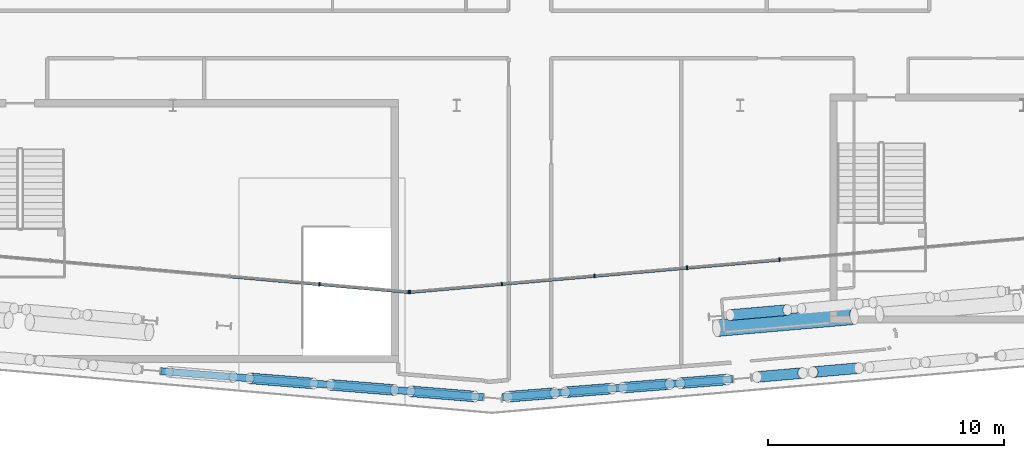
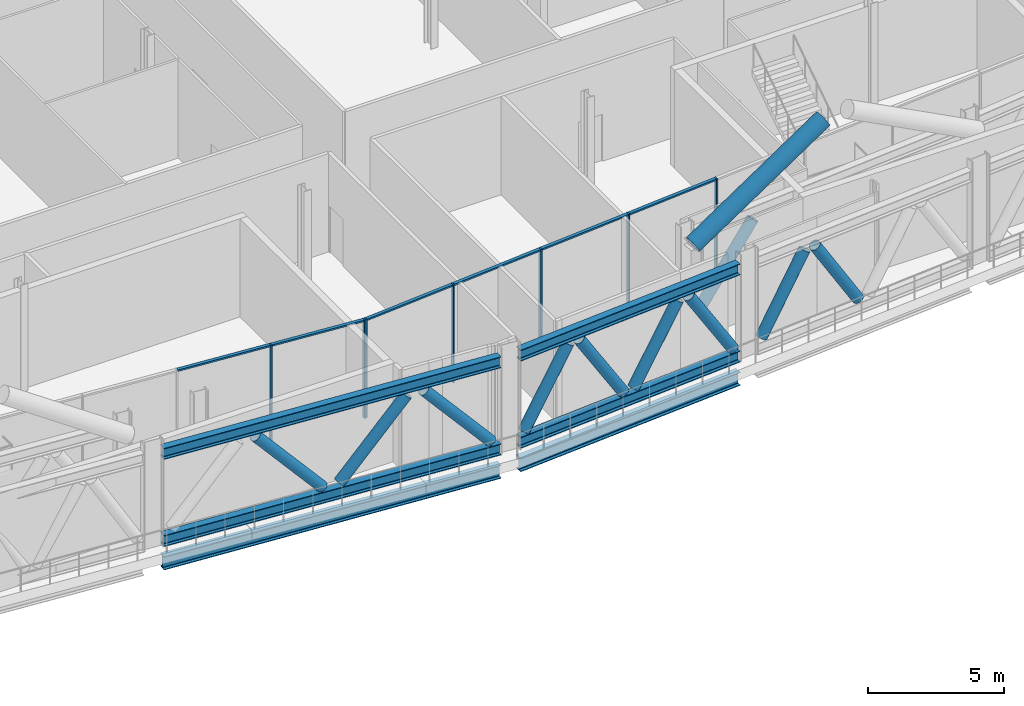
# One storey, part 7 of 42: 28 members, 2 beams, 2 elements without a shape of their own.
"""IFC4 building model written with IfcOpenShell, lengths in metres."""

import ifcopenshell
import ifcopenshell.guid

model = None  # the IFC model being written
_history = None  # IfcOwnerHistory: only IFC2X3 demands one
_inside = {}  # id of a spatial element -> (the spatial element, [elements in it])
_under = {}  # id of a project, library or spatial element -> (it, [spatial elements below it])
_declared = {}  # id of a project -> (the project, [libraries it declares])
_typed = {}  # id of a type object -> (the type object, [elements of that type])
_made_of = {}  # id of a material, layer set ... -> (it, [elements and type objects made of it])


def new_model(schema):
    """Start an empty IFC model of exactly this schema.

    Asked for "IFC4X3", IfcOpenShell would pick the latest addendum, in which some entities
    have other attributes; the version numbers below select the first issue.
    IFC2X3 requires an IfcOwnerHistory on every rooted entity: one is made here for all.
    """
    global model, _history
    if schema == "IFC4X3":
        model = ifcopenshell.file(schema_version=(4, 3, 0, 0))
    else:
        model = ifcopenshell.file(schema=schema)
    _inside.clear()
    _under.clear()
    _declared.clear()
    _typed.clear()
    _made_of.clear()
    _history = None
    if model.schema == "IFC2X3":
        org = make("IfcOrganization", Name="unknown")
        user = make(
            "IfcPersonAndOrganization",
            ThePerson=make("IfcPerson", FamilyName="unknown"),
            TheOrganization=org,
        )
        app = make(
            "IfcApplication",
            ApplicationDeveloper=org,
            Version="unknown",
            ApplicationFullName="unknown",
            ApplicationIdentifier="unknown",
        )
        _history = make(
            "IfcOwnerHistory",
            OwningUser=user,
            OwningApplication=app,
            ChangeAction="ADDED",
            CreationDate=0,
        )
    return model


def make(cls, **values):
    """One entity of the class cls with the attributes given. An attribute that is None is left unset."""
    return model.create_entity(
        cls, **{name: value for name, value in values.items() if value is not None}
    )


def rooted(cls, **values):
    """An entity with a GlobalId (a new one), such as an element, a storey or a relation."""
    return make(cls, GlobalId=ifcopenshell.guid.new(), OwnerHistory=_history, **values)


def si_unit(unit_type, name, prefix=None):
    """IfcSIUnit, for example si_unit("LENGTHUNIT", "METRE", prefix="MILLI")."""
    return make("IfcSIUnit", UnitType=unit_type, Prefix=prefix, Name=name)


def assignment(units):
    """IfcUnitAssignment: the units of a project."""
    return None if units is None else make("IfcUnitAssignment", Units=units)


def point(xyz):
    """IfcCartesianPoint."""
    return None if xyz is None else make("IfcCartesianPoint", Coordinates=xyz)


def direction(xyz):
    """IfcDirection."""
    return None if xyz is None else make("IfcDirection", DirectionRatios=xyz)


def frame(location, z_axis=None, x_axis=None):
    """IfcAxis2Placement3D, a coordinate frame: its origin and axes. An axis left out is left unset."""
    return make(
        "IfcAxis2Placement3D",
        Location=point(location),
        Axis=direction(z_axis),
        RefDirection=direction(x_axis),
    )


def frame_2d(location, x_axis=None):
    """IfcAxis2Placement2D, a coordinate frame in the plane: its origin and x axis."""
    return make(
        "IfcAxis2Placement2D", Location=point(location), RefDirection=direction(x_axis)
    )


def origin():
    """The frame at (0, 0, 0) with its axes left unset."""
    return frame((0.0, 0.0, 0.0))


def origin_2d():
    """The frame at (0, 0) in the plane with its x axis left unset."""
    return frame_2d((0.0, 0.0))


def place(relative_to, where):
    """IfcLocalPlacement: puts the frame where relative to a parent placement (None: the world)."""
    return make(
        "IfcLocalPlacement", PlacementRelTo=relative_to, RelativePlacement=where
    )


def context(
    kind, dimensions, precision=None, world=None, true_north=None, identifier=None
):
    """IfcGeometricRepresentationContext, for example the 3D "Model" context."""
    return make(
        "IfcGeometricRepresentationContext",
        ContextIdentifier=identifier,
        ContextType=kind,
        CoordinateSpaceDimension=dimensions,
        Precision=precision,
        WorldCoordinateSystem=world,
        TrueNorth=true_north,
    )


def subcontext(parent, identifier, kind, view, scale=None):
    """IfcGeometricRepresentationSubContext, for example "Body" below "Model"."""
    return make(
        "IfcGeometricRepresentationSubContext",
        ContextIdentifier=identifier,
        ContextType=kind,
        ParentContext=parent,
        TargetScale=scale,
        TargetView=view,
    )


def project(units=None, contexts=None):
    """IfcProject with its units and contexts."""
    return rooted(
        "IfcProject",
        Name="project",
        RepresentationContexts=contexts,
        UnitsInContext=assignment(units),
    )


def spatial(cls, under=None, at=None, **own):
    """A site, building, storey or space (cls), placed at a placement, below another one or the project."""
    s = rooted(cls, ObjectPlacement=at, **own)
    if under is not None:
        _under.setdefault(under.id(), (under, []))[1].append(s)
    return s


def profile(cls, at=None, kind="AREA", **sizes):
    """A parametric profile (cls). Its sizes go by their IFC names, for example OverallWidth=200.0."""
    return make(cls, ProfileType=kind, Position=at, **sizes)


def rectangle(**sizes):
    """IfcRectangleProfileDef."""
    return profile("IfcRectangleProfileDef", **sizes)


def hollow_circle(**sizes):
    """IfcCircleHollowProfileDef."""
    return profile("IfcCircleHollowProfileDef", **sizes)


def i_section(**sizes):
    """IfcIShapeProfileDef."""
    return profile("IfcIShapeProfileDef", **sizes)


def extrude(swept, where, along, depth):
    """IfcExtrudedAreaSolid: the profile swept, set in the frame where, extruded along a direction by depth."""
    return make(
        "IfcExtrudedAreaSolid",
        SweptArea=swept,
        Position=where,
        ExtrudedDirection=direction(along),
        Depth=depth,
    )


def shape(context_of_items, identifier, shape_type, items):
    """IfcShapeRepresentation: the items that make up one representation, for example the "Body"."""
    return make(
        "IfcShapeRepresentation",
        ContextOfItems=context_of_items,
        RepresentationIdentifier=identifier,
        RepresentationType=shape_type,
        Items=items,
    )


def material(Name=None, Category=None):
    """IfcMaterial."""
    return make("IfcMaterial", Name=Name, Category=Category)


def material_profile(
    of_material, cross_section, Name=None, Category=None, Priority=None
):
    """IfcMaterialProfile: a cross section and its material."""
    return make(
        "IfcMaterialProfile",
        Name=Name,
        Material=of_material,
        Profile=cross_section,
        Priority=Priority,
        Category=Category,
    )


def profile_set(profiles, Name=None, composite=None):
    """IfcMaterialProfileSet."""
    return make(
        "IfcMaterialProfileSet",
        Name=Name,
        MaterialProfiles=profiles,
        CompositeProfile=composite,
    )


def made_of(thing, what):
    """Note that an element or type object is made of a material, layer set ...; save() writes the relation."""
    if what is not None:
        _made_of.setdefault(what.id(), (what, []))[1].append(thing)
    return thing


def type_object(cls, material=None, **own):
    """A type object (cls), such as IfcWallType, which elements share."""
    return made_of(rooted(cls, **own), material)


def element(
    cls,
    number,
    at=None,
    inside=None,
    cuts=None,
    type_object=None,
    material=None,
    context=None,
    identifier="Body",
    shape_type=None,
    held_by="IfcProductDefinitionShape",
    body=None,
    shapes=None,
    **own,
):
    """One element of the class cls, such as IfcWall. Its Tag is "e" and its number.

    at: its placement. inside: the storey or other place that contains it. cuts: it is an
    opening in that element (IfcRelVoidsElement). A single representation is given by context,
    identifier, shape_type and body (its items); several are given by shapes. held_by: the class
    of the entity that holds the representations. save() writes the other relations.
    """
    e = rooted(cls, Tag="e%d" % number, ObjectPlacement=at, **own)
    if body is not None:
        shapes = [shape(context, identifier, shape_type, body)]
    if shapes is not None:
        e.Representation = make(held_by, Representations=shapes)
    if inside is not None:
        _inside.setdefault(inside.id(), (inside, []))[1].append(e)
    if cuts is not None:
        rooted(
            "IfcRelVoidsElement", RelatingBuildingElement=cuts, RelatedOpeningElement=e
        )
    if type_object is not None:
        _typed.setdefault(type_object.id(), (type_object, []))[1].append(e)
    return made_of(e, material)


def aggregate(whole, parts):
    """IfcRelAggregates: a whole, such as a stair, and the parts it consists of."""
    return rooted("IfcRelAggregates", RelatingObject=whole, RelatedObjects=parts)


def save(model, path):
    """Write the relations noted so far, then the file.

    IfcRelAggregates (storeys below a building ...), IfcRelContainedInSpatialStructure (elements
    in a storey), IfcRelDefinesByType, IfcRelAssociatesMaterial and IfcRelDeclares: one each for
    every whole, place, type object, material and project.
    """
    for whole, parts in _under.values():
        aggregate(whole, parts)
    for where, things in _inside.values():
        rooted(
            "IfcRelContainedInSpatialStructure",
            RelatedElements=things,
            RelatingStructure=where,
        )
    for kind, things in _typed.values():
        rooted("IfcRelDefinesByType", RelatedObjects=things, RelatingType=kind)
    for what, things in _made_of.values():
        rooted("IfcRelAssociatesMaterial", RelatedObjects=things, RelatingMaterial=what)
    for by, libraries in _declared.values():
        rooted("IfcRelDeclares", RelatingContext=by, RelatedDefinitions=libraries)
    model.write(path)


model = new_model("IFC4")

# Units and contexts
model_context = context("Model", 3, precision=1e-05, world=origin(), true_north=direction((0.0, 1.0)))
body_context = subcontext(model_context, "Body", "Model", "MODEL_VIEW")
ifc_project = project(units=[si_unit("LENGTHUNIT", "METRE"), si_unit("AREAUNIT", "SQUARE_METRE"), si_unit("VOLUMEUNIT", "CUBIC_METRE"), si_unit("PLANEANGLEUNIT", "RADIAN"), si_unit("MASSUNIT", "GRAM", prefix="KILO")], contexts=[model_context])

# Site, building, storey
site_placement = place(None, origin())
site = spatial("IfcSite", under=ifc_project, at=site_placement, CompositionType="ELEMENT")
building_placement = place(site_placement, origin())
building = spatial("IfcBuilding", under=site, at=building_placement, Name="Wharfspan Tower", CompositionType="ELEMENT")
storey_placement = place(building_placement, frame((0.0, 0.0, 147.100098)))
storey = spatial("IfcBuildingStorey", under=building, at=storey_placement, Name="L35", CompositionType="ELEMENT", Elevation=147.100098)

# Beams
ifc_material_1 = material(Name="Steel S355J2", Category="steel")
ifc_material_profile_1 = material_profile(ifc_material_1, i_section(OverallWidth=0.300049, OverallDepth=0.600098, WebThickness=0.015381, FlangeThickness=0.030029, FilletRadius=0.0271, at=origin_2d()))
ifc_profile_set_1 = profile_set([ifc_material_profile_1], Name="Steel S355J2")
beam_type = type_object("IfcBeamType", Name="Edge beam HEB 600", PredefinedType="SPANDREL", material=ifc_profile_set_1)
beam_1_placement = place(storey_placement, frame((35.490967, 0.252197, -0.75), z_axis=(0.996756, -0.080488, 0.0), x_axis=(0.080488, 0.996756, 0.0)))
element("IfcBeam", 1, at=beam_1_placement, inside=storey, type_object=beam_type, Name="Edge beam S1 L35 PS1.3 to PS1.4", PredefinedType="SPANDREL", context=body_context, shape_type="SweptSolid", body=[
    extrude(i_section(OverallWidth=0.300049, OverallDepth=0.600098, WebThickness=0.015381, FlangeThickness=0.030029, FilletRadius=0.0271, at=origin_2d()), origin(), (0.0, 0.0, 1.0), 13.683105),
])
beam_2_placement = place(storey_placement, frame((49.938721, -0.849365, -0.75), z_axis=(0.996913, 0.078508, 0.0), x_axis=(-0.078508, 0.996913, 0.0)))
element("IfcBeam", 2, at=beam_2_placement, inside=storey, type_object=beam_type, Name="Edge beam S2 L35 PS1.4 to PS2.1", PredefinedType="SPANDREL", context=body_context, shape_type="SweptSolid", body=[
    extrude(i_section(OverallWidth=0.300049, OverallDepth=0.600098, WebThickness=0.015381, FlangeThickness=0.030029, FilletRadius=0.0271, at=origin_2d()), origin(), (0.0, 0.0, 1.0), 9.767578),
])

# Curtain wall, members
ifc_material_2 = material(Name="Aluminium 6063-T6", Category="aluminium")
curtain_wall_type = type_object("IfcCurtainWallType", Name="CURTAIN WALL BAND RECESS", PredefinedType="NOTDEFINED", material=ifc_material_2)
curtain_wall_1_placement = place(storey_placement, origin())
curtain_wall_1 = element("IfcCurtainWall", 3, at=curtain_wall_1_placement, inside=storey, type_object=curtain_wall_type, Name="Recess glazing R6", PredefinedType="NOTDEFINED")
ifc_material_profile_2 = material_profile(ifc_material_2, rectangle(XDim=0.159912, YDim=0.060059, at=origin_2d()))
ifc_profile_set_2 = profile_set([ifc_material_profile_2], Name="Aluminium 6063-T6")
member_type_1 = type_object("IfcMemberType", Name="MULLION BAND RECESS 60x160", PredefinedType="MULLION", material=ifc_profile_set_2)
member_1_placement = place(storey_placement, frame((61.664551, 4.968262, 0.0), z_axis=(0.0, 0.0, 1.0), x_axis=(0.087156, -0.996198, 0.0)))
member_1 = element("IfcMember", 4, at=member_1_placement, type_object=member_type_1, Name="Recess glazing R6 mullion 6", PredefinedType="MULLION", context=body_context, shape_type="SweptSolid", body=[
    extrude(rectangle(XDim=0.159912, YDim=0.060059, at=origin_2d()), origin(), (0.0, 0.0, 1.0), 4.399902),
])
member_2_placement = place(storey_placement, frame((57.748535, 4.625732, 0.0), z_axis=(0.0, 0.0, 1.0), x_axis=(0.087156, -0.996198, 0.0)))
member_2 = element("IfcMember", 5, at=member_2_placement, type_object=member_type_1, Name="Recess glazing R6 mullion 7", PredefinedType="MULLION", context=body_context, shape_type="SweptSolid", body=[
    extrude(rectangle(XDim=0.159912, YDim=0.060059, at=origin_2d()), origin(), (0.0, 0.0, 1.0), 4.399902),
])
member_3_placement = place(storey_placement, frame((53.832275, 4.283203, 0.0), z_axis=(0.0, 0.0, 1.0), x_axis=(0.087156, -0.996198, 0.0)))
member_3 = element("IfcMember", 6, at=member_3_placement, type_object=member_type_1, Name="Recess glazing R6 mullion 8", PredefinedType="MULLION", context=body_context, shape_type="SweptSolid", body=[
    extrude(rectangle(XDim=0.159912, YDim=0.060059, at=origin_2d()), origin(), (0.0, 0.0, 1.0), 4.399902),
])
member_4_placement = place(storey_placement, frame((49.91626, 3.94043, 0.0), z_axis=(0.0, 0.0, 1.0), x_axis=(0.087156, -0.996198, 0.0)))
member_4 = element("IfcMember", 7, at=member_4_placement, type_object=member_type_1, Name="Recess glazing R6 mullion 9", PredefinedType="MULLION", context=body_context, shape_type="SweptSolid", body=[
    extrude(rectangle(XDim=0.159912, YDim=0.060059, at=origin_2d()), origin(), (0.0, 0.0, 1.0), 4.399902),
])
member_5_placement = place(storey_placement, frame((46.029785, 3.600586, 0.0), z_axis=(0.0, 0.0, 1.0), x_axis=(0.087156, -0.996198, 0.0)))
member_5 = element("IfcMember", 8, at=member_5_placement, type_object=member_type_1, Name="Recess glazing R6 mullion 10", PredefinedType="MULLION", context=body_context, shape_type="SweptSolid", body=[
    extrude(rectangle(XDim=0.159912, YDim=0.060059, at=origin_2d()), origin(), (0.0, 0.0, 1.0), 4.399902),
])

curtain_wall_2_placement = place(storey_placement, origin())
curtain_wall_2 = element("IfcCurtainWall", 9, at=curtain_wall_2_placement, inside=storey, type_object=curtain_wall_type, Name="Recess glazing R7", PredefinedType="NOTDEFINED")
member_6_placement = place(storey_placement, frame((45.970215, 3.600586, 0.0), z_axis=(0.0, 0.0, 1.0), x_axis=(-0.087156, -0.996198, 0.0)))
member_6 = element("IfcMember", 10, at=member_6_placement, type_object=member_type_1, Name="Recess glazing R7 mullion 1", PredefinedType="MULLION", context=body_context, shape_type="SweptSolid", body=[
    extrude(rectangle(XDim=0.159912, YDim=0.060059, at=origin_2d()), origin(), (0.0, 0.0, 1.0), 4.399902),
])
member_7_placement = place(storey_placement, frame((42.199951, 3.93042, 0.0), z_axis=(0.0, 0.0, 1.0), x_axis=(-0.087156, -0.996198, 0.0)))
member_7 = element("IfcMember", 11, at=member_7_placement, type_object=member_type_1, Name="Recess glazing R7 mullion 2", PredefinedType="MULLION", context=body_context, shape_type="SweptSolid", body=[
    extrude(rectangle(XDim=0.159912, YDim=0.060059, at=origin_2d()), origin(), (0.0, 0.0, 1.0), 4.399902),
])

# Member
ifc_material_3 = material(Name="Steel S460NH", Category="steel")
ifc_material_profile_3 = material_profile(ifc_material_3, hollow_circle(Radius=0.355469, WallThickness=0.035889, at=origin_2d()))
ifc_profile_set_3 = profile_set([ifc_material_profile_3], Name="Steel S460NH")
member_type_2 = type_object("IfcMemberType", Name="Mega brace CHS 711x36", PredefinedType="BRACE", material=ifc_profile_set_3)
member_8_placement = place(storey_placement, frame((59.004883, 2.070557, 4.099854), z_axis=(0.867427, 0.07588, 0.491745), x_axis=(-0.087145, 0.996197, 1e-06)))
element("IfcMember", 12, at=member_8_placement, inside=storey, type_object=member_type_2, Name="Mega brace S2 L36 part 1", PredefinedType="BRACE", context=body_context, shape_type="SweptSolid", body=[
    extrude(hollow_circle(Radius=0.355469, WallThickness=0.035889, at=origin_2d()), origin(), (0.0, 0.0, 1.0), 6.695557),
])

ifc_material_profile_4 = material_profile(ifc_material_2, rectangle(XDim=0.139893, YDim=0.070068, at=origin_2d()))
ifc_profile_set_4 = profile_set([ifc_material_profile_4], Name="Aluminium 6063-T6")
member_type_3 = type_object("IfcMemberType", Name="TRANSOM BAND RECESS 70x140", PredefinedType="USERDEFINED", material=ifc_profile_set_4)
member_9_placement = place(storey_placement, frame((61.634766, 4.96582, 4.36499), z_axis=(-0.996195, -0.087158, 0.0), x_axis=(0.087158, -0.996195, 0.0)))
member_9 = element("IfcMember", 13, at=member_9_placement, type_object=member_type_3, Name="Recess glazing R6 transom 6", ObjectType="TRANSOM", PredefinedType="USERDEFINED", context=body_context, shape_type="SweptSolid", body=[
    extrude(rectangle(XDim=0.139893, YDim=0.070068, at=origin_2d()), origin(), (0.0, 0.0, 1.0), 3.871094),
])

member_10_placement = place(storey_placement, frame((57.718506, 4.623047, 4.36499), z_axis=(-0.996195, -0.087158, 0.0), x_axis=(0.087158, -0.996195, 0.0)))
member_10 = element("IfcMember", 14, at=member_10_placement, type_object=member_type_3, Name="Recess glazing R6 transom 7", ObjectType="TRANSOM", PredefinedType="USERDEFINED", context=body_context, shape_type="SweptSolid", body=[
    extrude(rectangle(XDim=0.139893, YDim=0.070068, at=origin_2d()), origin(), (0.0, 0.0, 1.0), 3.871094),
])

member_11_placement = place(storey_placement, frame((53.80249, 4.280518, 4.36499), z_axis=(-0.996195, -0.087158, 0.0), x_axis=(0.087158, -0.996195, 0.0)))
member_11 = element("IfcMember", 15, at=member_11_placement, type_object=member_type_3, Name="Recess glazing R6 transom 8", ObjectType="TRANSOM", PredefinedType="USERDEFINED", context=body_context, shape_type="SweptSolid", body=[
    extrude(rectangle(XDim=0.139893, YDim=0.070068, at=origin_2d()), origin(), (0.0, 0.0, 1.0), 3.871094),
])

member_12_placement = place(storey_placement, frame((49.88623, 3.937988, 4.36499), z_axis=(-0.99619, -0.087206, 0.0), x_axis=(0.087206, -0.99619, 0.0)))
member_12 = element("IfcMember", 16, at=member_12_placement, type_object=member_type_3, Name="Recess glazing R6 transom 9", ObjectType="TRANSOM", PredefinedType="USERDEFINED", context=body_context, shape_type="SweptSolid", body=[
    extrude(rectangle(XDim=0.139893, YDim=0.070068, at=origin_2d()), origin(), (0.0, 0.0, 1.0), 3.841064),
])

aggregate(curtain_wall_1, [member_1, member_2, member_3, member_4, member_5, member_9, member_10, member_11, member_12])

member_13_placement = place(storey_placement, frame((45.940186, 3.603027, 4.36499), z_axis=(-0.996192, 0.087184, 0.0), x_axis=(-0.087184, -0.996192, 0.0)))
member_13 = element("IfcMember", 17, at=member_13_placement, type_object=member_type_3, Name="Recess glazing R7 transom 1", ObjectType="TRANSOM", PredefinedType="USERDEFINED", context=body_context, shape_type="SweptSolid", body=[
    extrude(rectangle(XDim=0.139893, YDim=0.070068, at=origin_2d()), origin(), (0.0, 0.0, 1.0), 3.724365),
])

member_14_placement = place(storey_placement, frame((42.170166, 3.932861, 4.36499), z_axis=(-0.996191, 0.087199, 0.0), x_axis=(-0.087199, -0.996191, 0.0)))
member_14 = element("IfcMember", 18, at=member_14_placement, type_object=member_type_3, Name="Recess glazing R7 transom 2", ObjectType="TRANSOM", PredefinedType="USERDEFINED", context=body_context, shape_type="SweptSolid", body=[
    extrude(rectangle(XDim=0.139893, YDim=0.070068, at=origin_2d()), origin(), (0.0, 0.0, 1.0), 3.754639),
])

aggregate(curtain_wall_2, [member_6, member_7, member_13, member_14])

# Members
ifc_material_profile_5 = material_profile(ifc_material_1, i_section(OverallWidth=0.300049, OverallDepth=0.5, WebThickness=0.014404, FlangeThickness=0.028076, FilletRadius=0.0271, at=origin_2d()))
ifc_profile_set_5 = profile_set([ifc_material_profile_5], Name="Steel S355J2")
member_type_4 = type_object("IfcMemberType", Name="Truss chord HEB 500", PredefinedType="CHORD", material=ifc_profile_set_5)
for number, where, z_axis, x_axis, name in (
    (19, (35.494873, 0.251709, 4.149902), (0.996756, -0.08048, 0.0), (0.08048, 0.996756, 0.0), "Belt truss chord T L35 S1 PS1.3.S to PS1.4.S"),
    (20, (35.494873, 0.251709, 0.25), (0.996756, -0.08048, 0.0), (0.08048, 0.996756, 0.0), "Belt truss chord B L35 S1 PS1.3.S to PS1.4.S"),
):
    element("IfcMember", number, at=place(storey_placement, frame(where, z_axis=z_axis, x_axis=x_axis)), inside=storey, type_object=member_type_4, Name=name, PredefinedType="CHORD", context=body_context, shape_type="SweptSolid", body=[
        extrude(i_section(OverallWidth=0.300049, OverallDepth=0.5, WebThickness=0.014404, FlangeThickness=0.028076, FilletRadius=0.0271, at=origin_2d()), origin(), (0.0, 0.0, 1.0), 13.675293),
    ])
for number, where, z_axis, x_axis, name in (
    (21, (49.942871, -0.849121, 4.149902), (0.996912, 0.078525, 0.0), (-0.078525, 0.996912, 0.0), "Belt truss chord T L35 S2 PS1.4.S to PS2.1.S"),
    (22, (49.942871, -0.849121, 0.25), (0.996912, 0.078525, 0.0), (-0.078525, 0.996912, 0.0), "Belt truss chord B L35 S2 PS1.4.S to PS2.1.S"),
):
    element("IfcMember", number, at=place(storey_placement, frame(where, z_axis=z_axis, x_axis=x_axis)), inside=storey, type_object=member_type_4, Name=name, PredefinedType="CHORD", context=body_context, shape_type="SweptSolid", body=[
        extrude(i_section(OverallWidth=0.300049, OverallDepth=0.5, WebThickness=0.014404, FlangeThickness=0.028076, FilletRadius=0.0271, at=origin_2d()), origin(), (0.0, 0.0, 1.0), 9.759277),
    ])
ifc_material_profile_6 = material_profile(ifc_material_3, hollow_circle(Radius=0.228516, WallThickness=0.016113, at=origin_2d()))
ifc_profile_set_6 = profile_set([ifc_material_profile_6], Name="Steel S460NH")
member_type_5 = type_object("IfcMemberType", Name="Truss diagonal CHS 457x16", PredefinedType="BRACE", material=ifc_profile_set_6)
member_15_placement = place(storey_placement, frame((59.571777, 2.626953, 0.640137), z_axis=(0.611533, 0.053505, 0.789408), x_axis=(-0.087158, 0.996198, -2e-06)))
element("IfcMember", 23, at=member_15_placement, inside=storey, type_object=member_type_5, Name="Belt truss diagonal L35 S2 PS2.1 to PS2.2 1", PredefinedType="BRACE", context=body_context, shape_type="SweptSolid", body=[
    extrude(hollow_circle(Radius=0.228516, WallThickness=0.016113, at=origin_2d()), origin(), (0.0, 0.0, 1.0), 3.95166),
])
for number, where, z_axis, x_axis, name in (
    (24, (39.252686, -0.051514, 3.749268), (0.657056, -0.053086, -0.75197), (0.08053, 0.99675, -1e-06), "Belt truss diagonal L35 S1 PS1.3.S to PS1.4.S 2"),
    (25, (42.6604, -0.32666, 0.650635), (0.657056, -0.053086, 0.75197), (0.08053, 0.99675, 1e-06), "Belt truss diagonal L35 S1 PS1.3.S to PS1.4.S 3"),
    (26, (46.068115, -0.601807, 3.749268), (0.657056, -0.053086, -0.75197), (0.08053, 0.99675, -1e-06), "Belt truss diagonal L35 S1 PS1.3.S to PS1.4.S 4"),
):
    element("IfcMember", number, at=place(storey_placement, frame(where, z_axis=z_axis, x_axis=x_axis)), inside=storey, type_object=member_type_5, Name=name, PredefinedType="BRACE", context=body_context, shape_type="SweptSolid", body=[
        extrude(hollow_circle(Radius=0.228516, WallThickness=0.016113, at=origin_2d()), origin(), (0.0, 0.0, 1.0), 4.120605),
    ])
for number, where, z_axis, x_axis, name in (
    (27, (50.174316, -0.830811, 0.621094), (0.528703, 0.041622, 0.847786), (-0.078485, 0.996914, 2e-06), "Belt truss diagonal L35 S2 PS1.4.S to PS2.1.S 1"),
    (28, (52.606689, -0.639404, 3.778809), (0.528701, 0.041688, -0.847784), (-0.078603, 0.99691, 2e-06), "Belt truss diagonal L35 S2 PS1.4.S to PS2.1.S 2"),
    (29, (55.039062, -0.447754, 0.621094), (0.528701, 0.041688, 0.847784), (-0.078603, 0.99691, -2e-06), "Belt truss diagonal L35 S2 PS1.4.S to PS2.1.S 3"),
    (30, (57.471436, -0.256104, 3.778809), (0.528703, 0.041622, -0.847786), (-0.078485, 0.996914, -2e-06), "Belt truss diagonal L35 S2 PS1.4.S to PS2.1.S 4"),
):
    element("IfcMember", number, at=place(storey_placement, frame(where, z_axis=z_axis, x_axis=x_axis)), inside=storey, type_object=member_type_5, Name=name, PredefinedType="BRACE", context=body_context, shape_type="SweptSolid", body=[
        extrude(hollow_circle(Radius=0.228516, WallThickness=0.016113, at=origin_2d()), origin(), (0.0, 0.0, 1.0), 3.724609),
    ])
for number, where, z_axis, x_axis, name in (
    (31, (60.70874, 0.004395, 0.619141), (0.520177, 0.045511, 0.852845), (-0.087157, 0.996197, -1e-06), "Belt truss diagonal L35 S2 PS2.1.S to PS2.2.S 1"),
    (32, (63.087402, 0.212646, 3.780518), (0.520177, 0.045511, -0.852845), (-0.087157, 0.996197, 1e-06), "Belt truss diagonal L35 S2 PS2.1.S to PS2.2.S 2"),
):
    element("IfcMember", number, at=place(storey_placement, frame(where, z_axis=z_axis, x_axis=x_axis)), inside=storey, type_object=member_type_5, Name=name, PredefinedType="BRACE", context=body_context, shape_type="SweptSolid", body=[
        extrude(hollow_circle(Radius=0.228516, WallThickness=0.016113, at=origin_2d()), origin(), (0.0, 0.0, 1.0), 3.706787),
    ])

save(model, "model.ifc")
